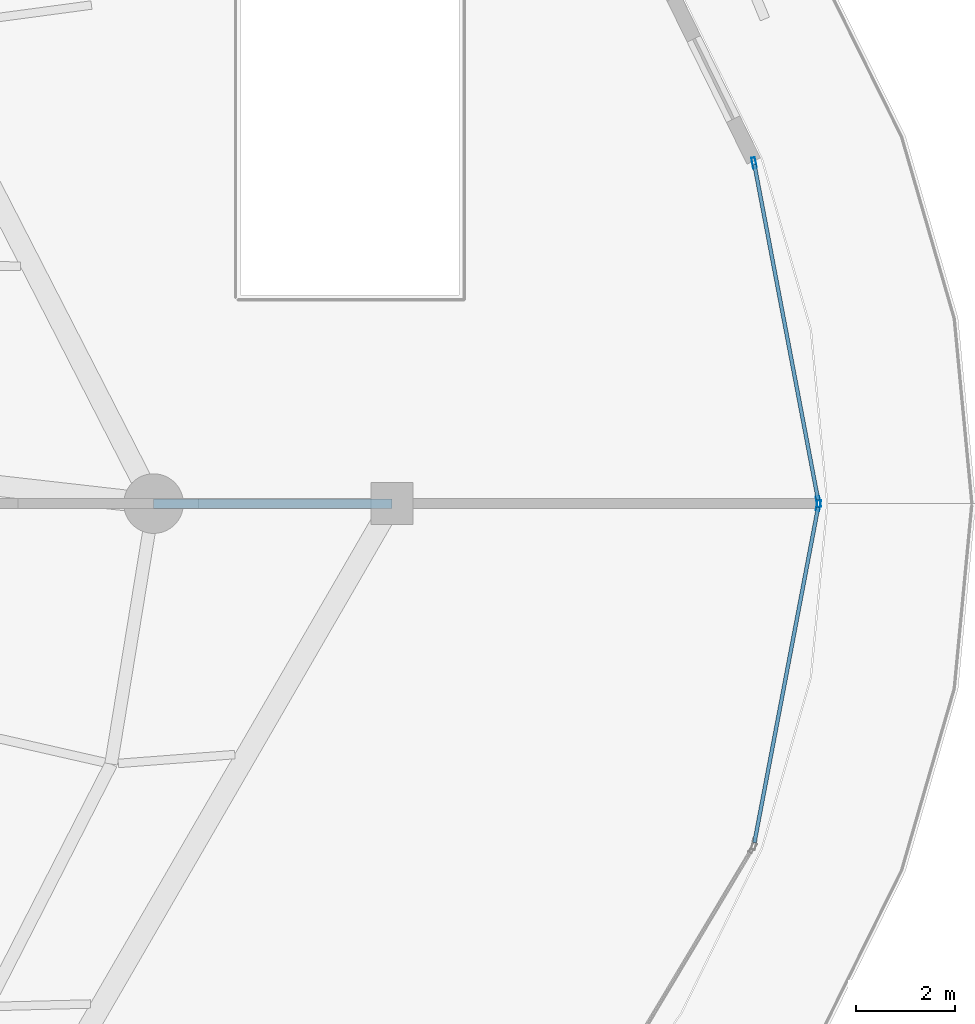
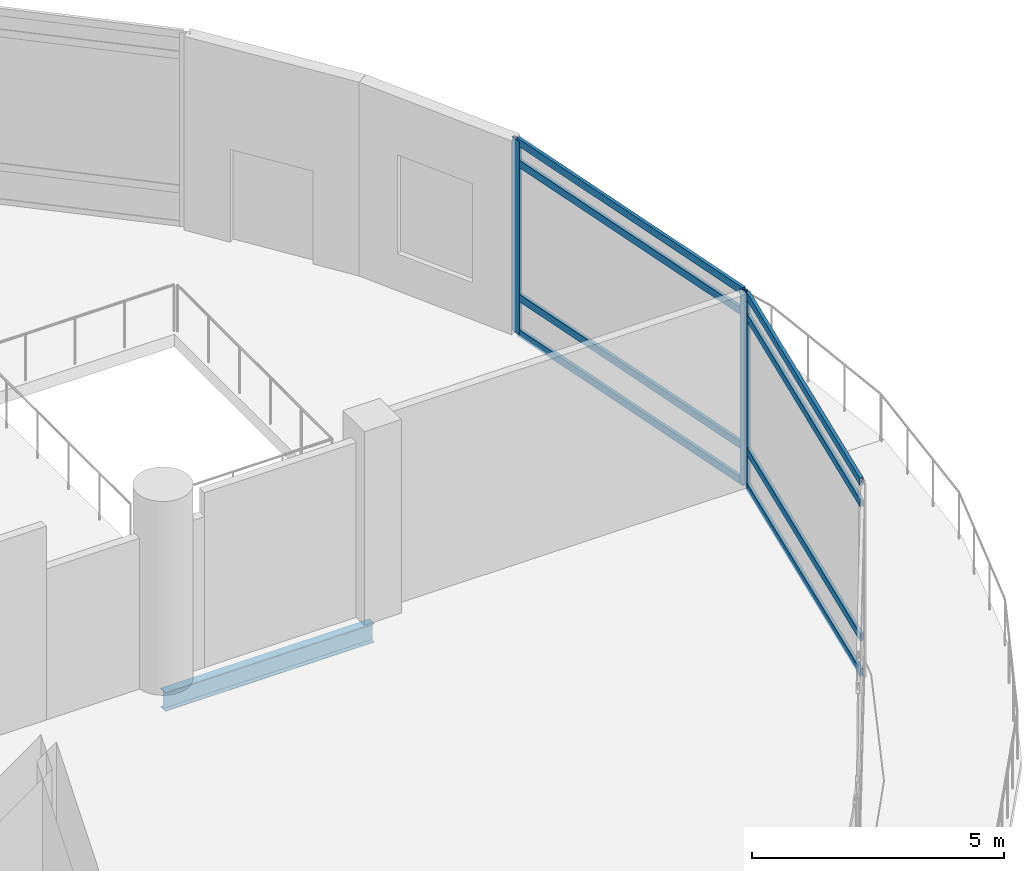
# One storey, part 22 of 37: 11 members, 1 beam, 2 elements without a shape of their own.
"""IFC4 building model written with IfcOpenShell, lengths in metres."""

from ifc_helpers import new_model, si_unit, direction, frame, origin, origin_2d, place, context, subcontext, project, spatial, hollow_rectangle, i_section, extrude, material, layer, layer_set, material_profile, profile_set, type_object, element, aggregate, save


model = new_model("IFC4")

# Units and contexts
model_context = context("Model", 3, precision=1e-05, world=origin(), true_north=direction((0.0, 1.0)))
body_context = subcontext(model_context, "Body", "Model", "MODEL_VIEW")
ifc_project = project(units=[si_unit("LENGTHUNIT", "METRE"), si_unit("AREAUNIT", "SQUARE_METRE"), si_unit("VOLUMEUNIT", "CUBIC_METRE"), si_unit("PLANEANGLEUNIT", "RADIAN"), si_unit("MASSUNIT", "GRAM", prefix="KILO")], contexts=[model_context])

# Site, building, storey
site_placement = place(None, origin())
site = spatial("IfcSite", under=ifc_project, at=site_placement, CompositionType="ELEMENT")
building_placement = place(site_placement, origin())
building = spatial("IfcBuilding", under=site, at=building_placement, Name="Nuhasar Tower", CompositionType="ELEMENT")
storey_placement = place(building_placement, frame((0.0, 0.0, 6.0)))
storey = spatial("IfcBuildingStorey", under=building, at=storey_placement, Name="L01", CompositionType="ELEMENT", Elevation=6.0)

# Beam
ifc_material_1 = material(Name="Steel S355", Category="steel")
ifc_material_profile_1 = material_profile(ifc_material_1, i_section(OverallWidth=0.18994140625, OverallDepth=0.45703125, WebThickness=0.009033203125, FlangeThickness=0.014404296875, at=origin_2d()), Name="W18X50")
ifc_profile_set_1 = profile_set([ifc_material_profile_1], Name="Steel S355")
beam_type = type_object("IfcBeamType", Name="BM-RAD-W18X50", PredefinedType="BEAM", material=ifc_profile_set_1)
beam_placement = place(storey_placement, frame((64.050048828125, 26.800048828125, -0.529052734375), z_axis=(1.0, 0.0, 0.0), x_axis=(0.0, 1.0, 0.0)))
element("IfcBeam", 1, at=beam_placement, inside=storey, type_object=beam_type, Name="L01 Podium Radial Girder 04", PredefinedType="BEAM", context=body_context, shape_type="SweptSolid", body=[
    extrude(i_section(OverallWidth=0.18994140625, OverallDepth=0.45703125, WebThickness=0.009033203125, FlangeThickness=0.014404296875, at=origin_2d()), origin(), (0.0, 0.0, 1.0), 4.800048828125),
])

# Curtain wall, members
ifc_material_2 = material(Name="Aluminium 6063-T6", Category="aluminium")
ifc_layer = layer(ifc_material_2, 0.219970703125)
ifc_layer_set = layer_set([ifc_layer], Name="Aluminium 6063-T6")
curtain_wall_type = type_object("IfcCurtainWallType", Name="CW-PODIUM", PredefinedType="NOTDEFINED", material=ifc_layer_set)
curtain_wall_1_placement = place(storey_placement, origin())
curtain_wall_1 = element("IfcCurtainWall", 2, at=curtain_wall_1_placement, inside=storey, type_object=curtain_wall_type, Name="L01 Podium Curtain Wall Bay 01", PredefinedType="NOTDEFINED")
ifc_material_profile_2 = material_profile(ifc_material_2, hollow_rectangle(XDim=0.074951171875, YDim=0.219970703125, WallThickness=0.0048828125, at=origin_2d()), Name="CWM-1")
ifc_profile_set_2 = profile_set([ifc_material_profile_2], Name="Aluminium 6063-T6")
member_type_1 = type_object("IfcMemberType", Name="CW-MUL-S1", PredefinedType="MULLION", material=ifc_profile_set_2)
member_1_placement = place(storey_placement, frame((77.43310546875, 26.8369140625, 0.0), z_axis=(0.0, 0.0, 1.0), x_axis=(-0.982425758113, -0.186653769843, 0.0)))
member_1 = element("IfcMember", 3, at=member_1_placement, type_object=member_type_1, Name="CW-P1 mullion 1", PredefinedType="MULLION", context=body_context, shape_type="SweptSolid", body=[
    extrude(hollow_rectangle(XDim=0.074951171875, YDim=0.219970703125, WallThickness=0.0048828125, at=origin_2d()), origin(), (0.0, 0.0, 1.0), 4.699951171875),
])
member_2_placement = place(storey_placement, frame((76.136962890625, 33.658203125, 0.0), z_axis=(0.0, 0.0, 1.0), x_axis=(-0.982425758113, -0.186653769843, 0.0)))
member_2 = element("IfcMember", 4, at=member_2_placement, type_object=member_type_1, Name="CW-P1 mullion 2", PredefinedType="MULLION", context=body_context, shape_type="SweptSolid", body=[
    extrude(hollow_rectangle(XDim=0.074951171875, YDim=0.219970703125, WallThickness=0.0048828125, at=origin_2d()), origin(), (0.0, 0.0, 1.0), 4.699951171875),
])

# Curtain wall, member
curtain_wall_2_placement = place(storey_placement, origin())
curtain_wall_2 = element("IfcCurtainWall", 5, at=curtain_wall_2_placement, inside=storey, type_object=curtain_wall_type, Name="L01 Podium Curtain Wall Bay 24", PredefinedType="NOTDEFINED")
member_3_placement = place(storey_placement, frame((77.43310546875, 26.76318359375, 0.0), z_axis=(0.0, 0.0, 1.0), x_axis=(-0.982425758113, 0.186653769843, 0.0)))
member_3 = element("IfcMember", 6, at=member_3_placement, type_object=member_type_1, Name="CW-P1 mullion 2", PredefinedType="MULLION", context=body_context, shape_type="SweptSolid", body=[
    extrude(hollow_rectangle(XDim=0.074951171875, YDim=0.219970703125, WallThickness=0.0048828125, at=origin_2d()), origin(), (0.0, 0.0, 1.0), 4.699951171875),
])

# Member
ifc_material_profile_3 = material_profile(ifc_material_2, hollow_rectangle(XDim=0.074951171875, YDim=0.179931640625, WallThickness=0.00439453125, at=origin_2d()), Name="CWT-1")
ifc_profile_set_3 = profile_set([ifc_material_profile_3], Name="Aluminium 6063-T6")
member_type_2 = type_object("IfcMemberType", Name="CW-TRN-S1", PredefinedType="USERDEFINED", material=ifc_profile_set_3)
member_4_placement = place(storey_placement, frame((77.426025390625, 26.873779296875, 0.03759765625), z_axis=(-0.186653098125, 0.982425885734, 0.0), x_axis=(-0.982425885734, -0.186653098125, 0.0)))
member_4 = element("IfcMember", 7, at=member_4_placement, type_object=member_type_2, Name="CW-P1 transom 1.1", ObjectType="TRANSOM", PredefinedType="USERDEFINED", context=body_context, shape_type="SweptSolid", body=[
    extrude(hollow_rectangle(XDim=0.074951171875, YDim=0.179931640625, WallThickness=0.00439453125, at=origin_2d()), origin(), (0.0, 0.0, 1.0), 6.8681640625),
])

member_5_placement = place(storey_placement, frame((77.426025390625, 26.873779296875, 0.89990234375), z_axis=(-0.186653098125, 0.982425885734, 0.0), x_axis=(-0.982425885734, -0.186653098125, 0.0)))
member_5 = element("IfcMember", 8, at=member_5_placement, type_object=member_type_2, Name="CW-P1 transom 1.2", ObjectType="TRANSOM", PredefinedType="USERDEFINED", context=body_context, shape_type="SweptSolid", body=[
    extrude(hollow_rectangle(XDim=0.074951171875, YDim=0.179931640625, WallThickness=0.00439453125, at=origin_2d()), origin(), (0.0, 0.0, 1.0), 6.8681640625),
])

member_6_placement = place(storey_placement, frame((77.426025390625, 26.873779296875, 4.14990234375), z_axis=(-0.186653098125, 0.982425885734, 0.0), x_axis=(-0.982425885734, -0.186653098125, 0.0)))
member_6 = element("IfcMember", 9, at=member_6_placement, type_object=member_type_2, Name="CW-P1 transom 1.3", ObjectType="TRANSOM", PredefinedType="USERDEFINED", context=body_context, shape_type="SweptSolid", body=[
    extrude(hollow_rectangle(XDim=0.074951171875, YDim=0.179931640625, WallThickness=0.00439453125, at=origin_2d()), origin(), (0.0, 0.0, 1.0), 6.8681640625),
])

member_7_placement = place(storey_placement, frame((77.426025390625, 26.873779296875, 4.66259765625), z_axis=(-0.186653098125, 0.982425885734, 0.0), x_axis=(-0.982425885734, -0.186653098125, 0.0)))
member_7 = element("IfcMember", 10, at=member_7_placement, type_object=member_type_2, Name="CW-P1 transom 1.4", ObjectType="TRANSOM", PredefinedType="USERDEFINED", context=body_context, shape_type="SweptSolid", body=[
    extrude(hollow_rectangle(XDim=0.074951171875, YDim=0.179931640625, WallThickness=0.00439453125, at=origin_2d()), origin(), (0.0, 0.0, 1.0), 6.8681640625),
])

aggregate(curtain_wall_1, [member_1, member_2, member_4, member_5, member_6, member_7])

member_8_placement = place(storey_placement, frame((76.14404296875, 19.978759765625, 0.03759765625), z_axis=(0.186653098125, 0.982425885734, 0.0), x_axis=(-0.982425885734, 0.186653098125, 0.0)))
member_8 = element("IfcMember", 11, at=member_8_placement, type_object=member_type_2, Name="CW-P1 transom 1.1", ObjectType="TRANSOM", PredefinedType="USERDEFINED", context=body_context, shape_type="SweptSolid", body=[
    extrude(hollow_rectangle(XDim=0.074951171875, YDim=0.179931640625, WallThickness=0.00439453125, at=origin_2d()), origin(), (0.0, 0.0, 1.0), 6.8681640625),
])

member_9_placement = place(storey_placement, frame((76.14404296875, 19.978759765625, 0.89990234375), z_axis=(0.186653098125, 0.982425885734, 0.0), x_axis=(-0.982425885734, 0.186653098125, 0.0)))
member_9 = element("IfcMember", 12, at=member_9_placement, type_object=member_type_2, Name="CW-P1 transom 1.2", ObjectType="TRANSOM", PredefinedType="USERDEFINED", context=body_context, shape_type="SweptSolid", body=[
    extrude(hollow_rectangle(XDim=0.074951171875, YDim=0.179931640625, WallThickness=0.00439453125, at=origin_2d()), origin(), (0.0, 0.0, 1.0), 6.8681640625),
])

member_10_placement = place(storey_placement, frame((76.14404296875, 19.978759765625, 4.14990234375), z_axis=(0.186653098125, 0.982425885734, 0.0), x_axis=(-0.982425885734, 0.186653098125, 0.0)))
member_10 = element("IfcMember", 13, at=member_10_placement, type_object=member_type_2, Name="CW-P1 transom 1.3", ObjectType="TRANSOM", PredefinedType="USERDEFINED", context=body_context, shape_type="SweptSolid", body=[
    extrude(hollow_rectangle(XDim=0.074951171875, YDim=0.179931640625, WallThickness=0.00439453125, at=origin_2d()), origin(), (0.0, 0.0, 1.0), 6.8681640625),
])

member_11_placement = place(storey_placement, frame((76.14404296875, 19.978759765625, 4.66259765625), z_axis=(0.186653098125, 0.982425885734, 0.0), x_axis=(-0.982425885734, 0.186653098125, 0.0)))
member_11 = element("IfcMember", 14, at=member_11_placement, type_object=member_type_2, Name="CW-P1 transom 1.4", ObjectType="TRANSOM", PredefinedType="USERDEFINED", context=body_context, shape_type="SweptSolid", body=[
    extrude(hollow_rectangle(XDim=0.074951171875, YDim=0.179931640625, WallThickness=0.00439453125, at=origin_2d()), origin(), (0.0, 0.0, 1.0), 6.8681640625),
])

aggregate(curtain_wall_2, [member_3, member_8, member_9, member_10, member_11])

save(model, "model.ifc")
